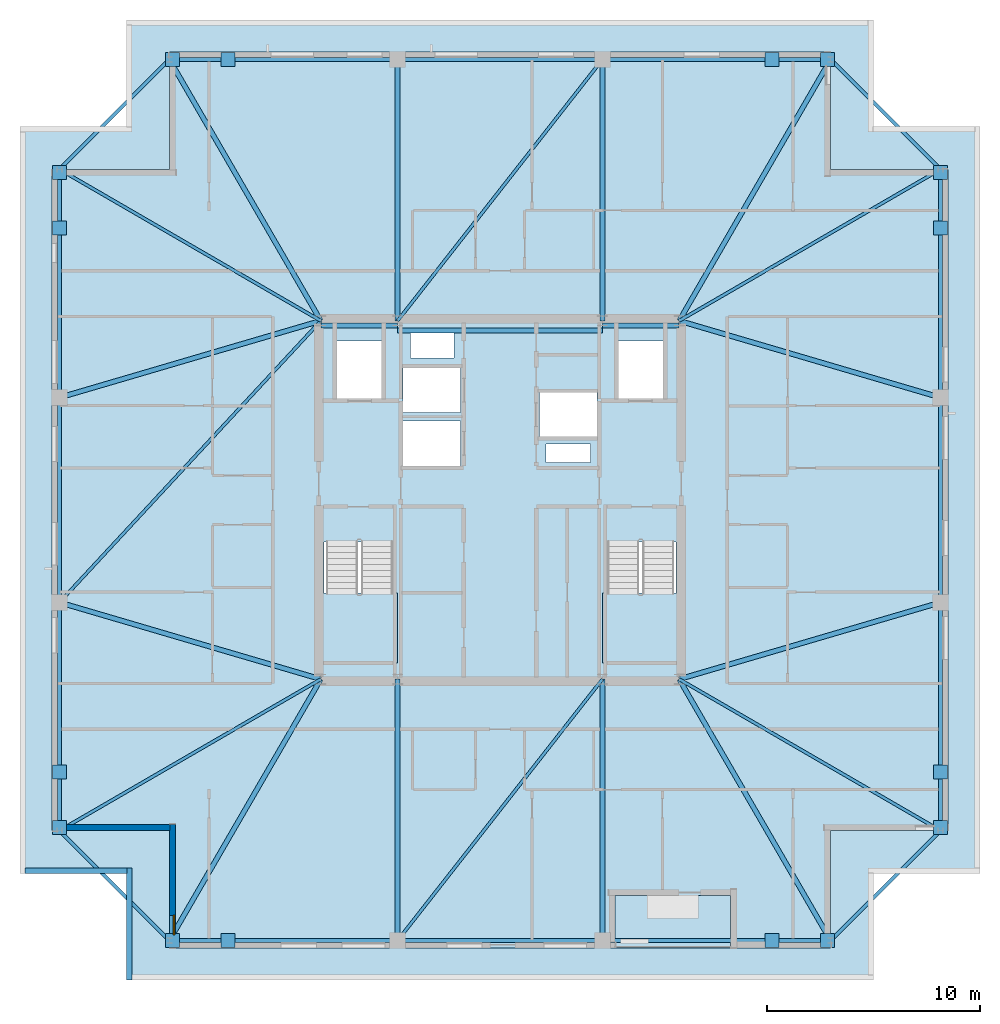
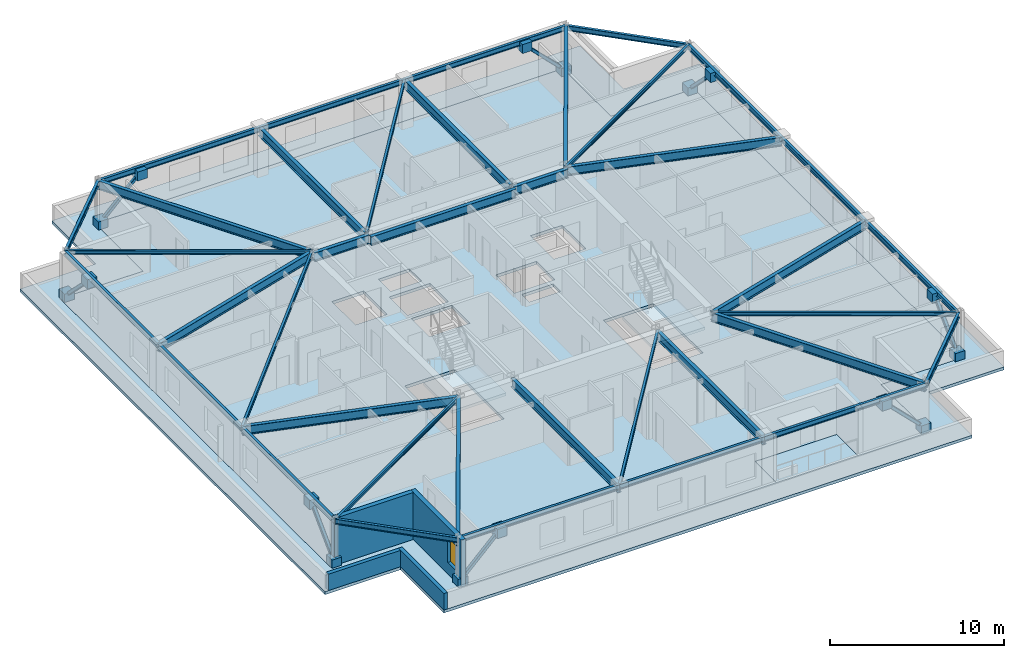
# One storey, part 6 of 15: 38 beams, 16 plates, 8 members, 5 slabs, 4 walls, 1 window, 1 opening, 2 elements without a shape of their own.
"""IFC4 building model written with IfcOpenShell, lengths in metres."""

from ifc_helpers import new_model, si_unit, direction, frame, frame_2d, origin, origin_2d, place, context, subcontext, project, spatial, polyline, rectangle, hollow_rectangle, i_section, outline, extrude, material, layer, layer_set, material_profile, profile_set, type_object, element, fill, aggregate, save


model = new_model("IFC4")

# Units and contexts
model_context = context("Model", 3, precision=1e-05, world=origin(), true_north=direction((0.0, 1.0)))
body_context = subcontext(model_context, "Body", "Model", "MODEL_VIEW")
ifc_project = project(units=[si_unit("LENGTHUNIT", "METRE"), si_unit("AREAUNIT", "SQUARE_METRE"), si_unit("VOLUMEUNIT", "CUBIC_METRE"), si_unit("PLANEANGLEUNIT", "RADIAN"), si_unit("MASSUNIT", "GRAM", prefix="KILO")], contexts=[model_context])

# Site, building, storey
site_placement = place(None, origin())
site = spatial("IfcSite", under=ifc_project, at=site_placement, CompositionType="ELEMENT")
building_placement = place(site_placement, origin())
building = spatial("IfcBuilding", under=site, at=building_placement, Name="Cairnveth Concourse Tower", CompositionType="ELEMENT")
storey_placement = place(building_placement, frame((0.0, 0.0, 280.5)))
storey = spatial("IfcBuildingStorey", under=building, at=storey_placement, Name="L77", CompositionType="ELEMENT", Elevation=280.5)

# Beams
ifc_material_1 = material(Name="Steel Grade 350", Category="steel")
ifc_material_profile_1 = material_profile(ifc_material_1, i_section(OverallWidth=0.22802734375, OverallDepth=0.60693359375, WebThickness=0.01123046875, FlangeThickness=0.017333984375, FilletRadius=0.013916015625, at=origin_2d()), Name="610UB113")
ifc_profile_set_1 = profile_set([ifc_material_profile_1], Name="Steel Grade 350")
beam_type_1 = type_object("IfcBeamType", Name="CORE TIE BEAM 610UB113", PredefinedType="T_BEAM", material=ifc_profile_set_1)
for number, where, z_axis, x_axis, name in (
    (1, (43.60009765625, 47.179931640625, 2.986572265625), (1.0, 0.0, 0.0), (0.0, 1.0, 0.0), "Beam CT-N1 L77"),
    (2, (56.800048828125, 47.179931640625, 2.986572265625), (1.0, 0.0, 0.0), (0.0, 1.0, 0.0), "Beam CT-N3 L77"),
):
    element("IfcBeam", number, at=place(storey_placement, frame(where, z_axis=z_axis, x_axis=x_axis)), inside=storey, type_object=beam_type_1, Name=name, PredefinedType="T_BEAM", context=body_context, shape_type="SweptSolid", body=[
        extrude(i_section(OverallWidth=0.22802734375, OverallDepth=0.60693359375, WebThickness=0.01123046875, FlangeThickness=0.017333984375, FilletRadius=0.013916015625, at=origin_2d()), origin(), (0.0, 0.0, 1.0), 3.599853515625),
    ])
beam_1_placement = place(storey_placement, frame((47.199951171875, 46.949951171875, 2.986572265625), z_axis=(1.0, 0.0, 0.0), x_axis=(0.0, 1.0, 0.0)))
element("IfcBeam", 3, at=beam_1_placement, inside=storey, type_object=beam_type_1, Name="Beam CT-N2 L77", PredefinedType="T_BEAM", context=body_context, shape_type="SweptSolid", body=[
    extrude(i_section(OverallWidth=0.22802734375, OverallDepth=0.60693359375, WebThickness=0.01123046875, FlangeThickness=0.017333984375, FilletRadius=0.013916015625, at=origin_2d()), origin(), (0.0, 0.0, 1.0), 9.60009765625),
])
ifc_material_profile_2 = material_profile(ifc_material_1, i_section(OverallWidth=0.14599609375, OverallDepth=0.256103515625, WebThickness=0.00634765625, FlangeThickness=0.010986328125, FilletRadius=0.009033203125, at=origin_2d()), Name="250UB37.3")
ifc_profile_set_2 = profile_set([ifc_material_profile_2], Name="Steel Grade 350")
beam_type_2 = type_object("IfcBeamType", Name="ZONE 4 FLOOR JOIST 250UB37.3", PredefinedType="JOIST", material=ifc_profile_set_2)
for number, where, z_axis, x_axis, name in (
    (4, (31.35009765625, 23.5, 3.162109375), (0.86518141842, 0.501458984584, 0.0), (-0.501458984584, 0.86518141842, 0.0), "Beam FJ-CSW2 L77"),
    (5, (72.64990234375, 23.5, 3.162109375), (-0.86518141842, 0.501458984584, 0.0), (-0.501458984584, -0.86518141842, 0.0), "Beam FJ-CSE2 L77"),
    (6, (72.64990234375, 54.5, 3.162109375), (-0.86518141842, -0.501458984584, 0.0), (0.501458984584, -0.86518141842, 0.0), "Beam FJ-CNE2 L77"),
    (7, (31.35009765625, 54.5, 3.162109375), (0.86518141842, -0.501458984584, 0.0), (0.501458984584, 0.86518141842, 0.0), "Beam FJ-CNW2 L77"),
):
    element("IfcBeam", number, at=place(storey_placement, frame(where, z_axis=z_axis, x_axis=x_axis)), inside=storey, type_object=beam_type_2, Name=name, PredefinedType="JOIST", context=body_context, shape_type="SweptSolid", body=[
        extrude(i_section(OverallWidth=0.14599609375, OverallDepth=0.256103515625, WebThickness=0.00634765625, FlangeThickness=0.010986328125, FilletRadius=0.009033203125, at=origin_2d()), origin(), (0.0, 0.0, 1.0), 14.158935546875),
    ])
for number, where, z_axis, x_axis, name in (
    (8, (47.199951171875, 18.35009765625, 3.162109375), (0.616831762718, 0.787095023807, 0.0), (-0.787095023807, 0.616831762718, 0.0), "Beam FJ-S-M1 L77"),
    (9, (47.199951171875, 47.39990234375, 3.162109375), (0.616831762718, 0.787095023807, 0.0), (-0.787095023807, 0.616831762718, 0.0), "Beam FJ-N-M1 L77"),
):
    element("IfcBeam", number, at=place(storey_placement, frame(where, z_axis=z_axis, x_axis=x_axis)), inside=storey, type_object=beam_type_2, Name=name, PredefinedType="JOIST", context=body_context, shape_type="SweptSolid", body=[
        extrude(i_section(OverallWidth=0.14599609375, OverallDepth=0.256103515625, WebThickness=0.00634765625, FlangeThickness=0.010986328125, FilletRadius=0.009033203125, at=origin_2d()), origin(), (0.0, 0.0, 1.0), 15.5634765625),
    ])
beam_2_placement = place(storey_placement, frame((31.35009765625, 34.199951171875, 3.162109375), z_axis=(0.680239432161, 0.732989982833, 0.0), x_axis=(-0.732989982833, 0.680239432161, 0.0)))
element("IfcBeam", 10, at=beam_2_placement, inside=storey, type_object=beam_type_2, Name="Beam FJ-W-M1 L77", PredefinedType="JOIST", context=body_context, shape_type="SweptSolid", body=[
    extrude(i_section(OverallWidth=0.14599609375, OverallDepth=0.256103515625, WebThickness=0.00634765625, FlangeThickness=0.010986328125, FilletRadius=0.009033203125, at=origin_2d()), origin(), (0.0, 0.0, 1.0), 18.00830078125),
])

# Members
ifc_material_2 = material(Name="Steel C350L0 (350 MPa)", Category="steel")
ifc_material_profile_3 = material_profile(ifc_material_2, hollow_rectangle(XDim=0.199951171875, YDim=0.199951171875, WallThickness=0.012451171875, InnerFilletRadius=0.012939453125, OuterFilletRadius=0.02490234375, at=origin_2d()), Name="200x200x12.5SHS")
ifc_profile_set_3 = profile_set([ifc_material_profile_3], Name="Steel C350L0 (350 MPa)")
member_type = type_object("IfcMemberType", Name="ZONE 4 PIER BRACE 200X200X12.5SHS", PredefinedType="BRACE", material=ifc_profile_set_3)
for number, where, z_axis, x_axis, name in (
    (11, (36.64990234375, 18.35009765625, 0.25), (0.708469186186, 0.0, 0.705741746126), (0.0, 1.0, 0.0), "Structural Brace PB-S1 L77"),
    (12, (67.35009765625, 18.35009765625, 0.25), (-0.708469186186, 0.0, 0.705741746126), (0.0, -1.0, 0.0), "Structural Brace PB-S2 L77"),
    (13, (36.64990234375, 59.64990234375, 0.25), (0.708469186186, 0.0, 0.705741746126), (0.0, 1.0, 0.0), "Structural Brace PB-N1 L77"),
    (14, (67.35009765625, 59.64990234375, 0.25), (-0.708469186186, 0.0, 0.705741746126), (0.0, -1.0, 0.0), "Structural Brace PB-N2 L77"),
    (15, (31.35009765625, 23.64990234375, 0.25), (0.0, 0.708469186186, 0.705741746126), (-1.0, 0.0, 0.0), "Structural Brace PB-W1 L77"),
    (16, (31.35009765625, 54.35009765625, 0.25), (0.0, -0.708469186186, 0.705741746126), (1.0, 0.0, 0.0), "Structural Brace PB-W2 L77"),
    (17, (72.64990234375, 23.64990234375, 0.25), (0.0, 0.708469186186, 0.705741746126), (-1.0, 0.0, 0.0), "Structural Brace PB-E1 L77"),
    (18, (72.64990234375, 54.35009765625, 0.25), (0.0, -0.708469186186, 0.705741746126), (1.0, 0.0, 0.0), "Structural Brace PB-E2 L77"),
):
    element("IfcMember", number, at=place(storey_placement, frame(where, z_axis=z_axis, x_axis=x_axis)), inside=storey, type_object=member_type, Name=name, PredefinedType="BRACE", context=body_context, shape_type="SweptSolid", body=[
        extrude(hollow_rectangle(XDim=0.199951171875, YDim=0.199951171875, WallThickness=0.012451171875, InnerFilletRadius=0.012939453125, OuterFilletRadius=0.02490234375, at=origin_2d()), origin(), (0.0, 0.0, 1.0), 3.669921875),
    ])

# Beams
ifc_material_profile_4 = material_profile(ifc_material_1, i_section(OverallWidth=0.22900390625, OverallDepth=0.612060546875, WebThickness=0.011962890625, FlangeThickness=0.01953125, FilletRadius=0.013916015625, at=origin_2d()), Name="610UB125")
ifc_profile_set_4 = profile_set([ifc_material_profile_4], Name="Steel Grade 350")
beam_type_3 = type_object("IfcBeamType", Name="ZONE 4 RADIAL GIRDER 610UB125", PredefinedType="BEAM", material=ifc_profile_set_4)
for number, where, z_axis, x_axis, name in (
    (19, (47.199951171875, 18.35009765625, 2.98388671875), (0.0, 1.0, 0.0), (-1.0, 0.0, 0.0), "Beam RG-S1 L77"),
    (20, (56.800048828125, 18.35009765625, 2.98388671875), (0.0, 1.0, 0.0), (-1.0, 0.0, 0.0), "Beam RG-S2 L77"),
    (21, (47.199951171875, 47.39990234375, 2.98388671875), (0.0, 1.0, 0.0), (-1.0, 0.0, 0.0), "Beam RG-N1 L77"),
    (22, (56.800048828125, 47.39990234375, 2.98388671875), (0.0, 1.0, 0.0), (-1.0, 0.0, 0.0), "Beam RG-N2 L77"),
):
    element("IfcBeam", number, at=place(storey_placement, frame(where, z_axis=z_axis, x_axis=x_axis)), inside=storey, type_object=beam_type_3, Name=name, PredefinedType="BEAM", context=body_context, shape_type="SweptSolid", body=[
        extrude(i_section(OverallWidth=0.22900390625, OverallDepth=0.612060546875, WebThickness=0.011962890625, FlangeThickness=0.01953125, FilletRadius=0.013916015625, at=origin_2d()), origin(), (0.0, 0.0, 1.0), 12.25),
    ])
for number, where, z_axis, x_axis, name in (
    (23, (31.35009765625, 34.199951171875, 2.98388671875), (0.959430938842, -0.281943741893, 0.0), (0.281943741893, 0.959430938842, 0.0), "Beam RG-W1 L77"),
    (24, (31.35009765625, 43.800048828125, 2.98388671875), (0.959430938842, 0.281943741893, 0.0), (-0.281943741893, 0.959430938842, 0.0), "Beam RG-W2 L77"),
    (25, (60.39990234375, 30.60009765625, 2.98388671875), (0.959430938842, 0.281943741893, 0.0), (-0.281943741893, 0.959430938842, 0.0), "Beam RG-E1 L77"),
    (26, (60.39990234375, 47.39990234375, 2.98388671875), (0.959430938842, -0.281943741893, 0.0), (0.281943741893, 0.959430938842, 0.0), "Beam RG-E2 L77"),
):
    element("IfcBeam", number, at=place(storey_placement, frame(where, z_axis=z_axis, x_axis=x_axis)), inside=storey, type_object=beam_type_3, Name=name, PredefinedType="BEAM", context=body_context, shape_type="SweptSolid", body=[
        extrude(i_section(OverallWidth=0.22900390625, OverallDepth=0.612060546875, WebThickness=0.011962890625, FlangeThickness=0.01953125, FilletRadius=0.013916015625, at=origin_2d()), origin(), (0.0, 0.0, 1.0), 12.76806640625),
    ])
for number, where, z_axis, x_axis, name in (
    (27, (36.5, 18.35009765625, 2.98388671875), (0.501458984584, 0.86518141842, 0.0), (-0.86518141842, 0.501458984584, 0.0), "Beam RG-CSW L77"),
    (28, (67.5, 18.35009765625, 2.98388671875), (-0.501458984584, 0.86518141842, 0.0), (-0.86518141842, -0.501458984584, 0.0), "Beam RG-CSE L77"),
    (29, (67.5, 59.64990234375, 2.98388671875), (-0.501458984584, -0.86518141842, 0.0), (0.86518141842, -0.501458984584, 0.0), "Beam RG-CNE L77"),
    (30, (36.5, 59.64990234375, 2.98388671875), (0.501458984584, -0.86518141842, 0.0), (0.86518141842, 0.501458984584, 0.0), "Beam RG-CNW L77"),
):
    element("IfcBeam", number, at=place(storey_placement, frame(where, z_axis=z_axis, x_axis=x_axis)), inside=storey, type_object=beam_type_3, Name=name, PredefinedType="BEAM", context=body_context, shape_type="SweptSolid", body=[
        extrude(i_section(OverallWidth=0.22900390625, OverallDepth=0.612060546875, WebThickness=0.011962890625, FlangeThickness=0.01953125, FilletRadius=0.013916015625, at=origin_2d()), origin(), (0.0, 0.0, 1.0), 14.158935546875),
    ])
ifc_material_profile_5 = material_profile(ifc_material_1, i_section(OverallWidth=0.172119140625, OverallDepth=0.35888671875, WebThickness=0.008056640625, FlangeThickness=0.012939453125, FilletRadius=0.010986328125, at=origin_2d()), Name="360UB56.7")
ifc_profile_set_5 = profile_set([ifc_material_profile_5], Name="Steel Grade 350")
beam_type_4 = type_object("IfcBeamType", Name="ZONE 4 SPANDREL BEAM 360UB56.7", PredefinedType="SPANDREL", material=ifc_profile_set_5)
beam_3_placement = place(storey_placement, frame((36.5, 18.35009765625, 3.110595703125), z_axis=(1.0, 0.0, 0.0), x_axis=(0.0, 1.0, 0.0)))
element("IfcBeam", 31, at=beam_3_placement, inside=storey, type_object=beam_type_4, Name="Beam SP-S1 L77", PredefinedType="SPANDREL", context=body_context, shape_type="SweptSolid", body=[
    extrude(i_section(OverallWidth=0.172119140625, OverallDepth=0.35888671875, WebThickness=0.008056640625, FlangeThickness=0.012939453125, FilletRadius=0.010986328125, at=origin_2d()), origin(), (0.0, 0.0, 1.0), 10.699951171875),
])
beam_4_placement = place(storey_placement, frame((47.199951171875, 18.35009765625, 3.110595703125), z_axis=(1.0, 0.0, 0.0), x_axis=(0.0, 1.0, 0.0)))
element("IfcBeam", 32, at=beam_4_placement, inside=storey, type_object=beam_type_4, Name="Beam SP-S2 L77", PredefinedType="SPANDREL", context=body_context, shape_type="SweptSolid", body=[
    extrude(i_section(OverallWidth=0.172119140625, OverallDepth=0.35888671875, WebThickness=0.008056640625, FlangeThickness=0.012939453125, FilletRadius=0.010986328125, at=origin_2d()), origin(), (0.0, 0.0, 1.0), 9.60009765625),
])
for number, where, z_axis, x_axis, name in (
    (33, (56.800048828125, 18.35009765625, 3.110595703125), (1.0, 0.0, 0.0), (0.0, 1.0, 0.0), "Beam SP-S3 L77"),
    (34, (36.5, 59.64990234375, 3.110595703125), (1.0, 0.0, 0.0), (0.0, 1.0, 0.0), "Beam SP-N1 L77"),
):
    element("IfcBeam", number, at=place(storey_placement, frame(where, z_axis=z_axis, x_axis=x_axis)), inside=storey, type_object=beam_type_4, Name=name, PredefinedType="SPANDREL", context=body_context, shape_type="SweptSolid", body=[
        extrude(i_section(OverallWidth=0.172119140625, OverallDepth=0.35888671875, WebThickness=0.008056640625, FlangeThickness=0.012939453125, FilletRadius=0.010986328125, at=origin_2d()), origin(), (0.0, 0.0, 1.0), 10.699951171875),
    ])
beam_5_placement = place(storey_placement, frame((47.199951171875, 59.64990234375, 3.110595703125), z_axis=(1.0, 0.0, 0.0), x_axis=(0.0, 1.0, 0.0)))
element("IfcBeam", 35, at=beam_5_placement, inside=storey, type_object=beam_type_4, Name="Beam SP-N2 L77", PredefinedType="SPANDREL", context=body_context, shape_type="SweptSolid", body=[
    extrude(i_section(OverallWidth=0.172119140625, OverallDepth=0.35888671875, WebThickness=0.008056640625, FlangeThickness=0.012939453125, FilletRadius=0.010986328125, at=origin_2d()), origin(), (0.0, 0.0, 1.0), 9.60009765625),
])
for number, where, z_axis, x_axis, name in (
    (36, (56.800048828125, 59.64990234375, 3.110595703125), (1.0, 0.0, 0.0), (0.0, 1.0, 0.0), "Beam SP-N3 L77"),
    (37, (31.35009765625, 23.5, 3.110595703125), (0.0, 1.0, 0.0), (-1.0, 0.0, 0.0), "Beam SP-W1 L77"),
):
    element("IfcBeam", number, at=place(storey_placement, frame(where, z_axis=z_axis, x_axis=x_axis)), inside=storey, type_object=beam_type_4, Name=name, PredefinedType="SPANDREL", context=body_context, shape_type="SweptSolid", body=[
        extrude(i_section(OverallWidth=0.172119140625, OverallDepth=0.35888671875, WebThickness=0.008056640625, FlangeThickness=0.012939453125, FilletRadius=0.010986328125, at=origin_2d()), origin(), (0.0, 0.0, 1.0), 10.699951171875),
    ])
beam_6_placement = place(storey_placement, frame((31.35009765625, 34.199951171875, 3.110595703125), z_axis=(0.0, 1.0, 0.0), x_axis=(-1.0, 0.0, 0.0)))
element("IfcBeam", 38, at=beam_6_placement, inside=storey, type_object=beam_type_4, Name="Beam SP-W2 L77", PredefinedType="SPANDREL", context=body_context, shape_type="SweptSolid", body=[
    extrude(i_section(OverallWidth=0.172119140625, OverallDepth=0.35888671875, WebThickness=0.008056640625, FlangeThickness=0.012939453125, FilletRadius=0.010986328125, at=origin_2d()), origin(), (0.0, 0.0, 1.0), 9.60009765625),
])
for number, where, z_axis, x_axis, name in (
    (39, (31.35009765625, 43.800048828125, 3.110595703125), (0.0, 1.0, 0.0), (-1.0, 0.0, 0.0), "Beam SP-W3 L77"),
    (40, (72.64990234375, 23.5, 3.110595703125), (0.0, 1.0, 0.0), (-1.0, 0.0, 0.0), "Beam SP-E1 L77"),
):
    element("IfcBeam", number, at=place(storey_placement, frame(where, z_axis=z_axis, x_axis=x_axis)), inside=storey, type_object=beam_type_4, Name=name, PredefinedType="SPANDREL", context=body_context, shape_type="SweptSolid", body=[
        extrude(i_section(OverallWidth=0.172119140625, OverallDepth=0.35888671875, WebThickness=0.008056640625, FlangeThickness=0.012939453125, FilletRadius=0.010986328125, at=origin_2d()), origin(), (0.0, 0.0, 1.0), 10.699951171875),
    ])
beam_7_placement = place(storey_placement, frame((72.64990234375, 34.199951171875, 3.110595703125), z_axis=(0.0, 1.0, 0.0), x_axis=(-1.0, 0.0, 0.0)))
element("IfcBeam", 41, at=beam_7_placement, inside=storey, type_object=beam_type_4, Name="Beam SP-E2 L77", PredefinedType="SPANDREL", context=body_context, shape_type="SweptSolid", body=[
    extrude(i_section(OverallWidth=0.172119140625, OverallDepth=0.35888671875, WebThickness=0.008056640625, FlangeThickness=0.012939453125, FilletRadius=0.010986328125, at=origin_2d()), origin(), (0.0, 0.0, 1.0), 9.60009765625),
])
beam_8_placement = place(storey_placement, frame((72.64990234375, 43.800048828125, 3.110595703125), z_axis=(0.0, 1.0, 0.0), x_axis=(-1.0, 0.0, 0.0)))
element("IfcBeam", 42, at=beam_8_placement, inside=storey, type_object=beam_type_4, Name="Beam SP-E3 L77", PredefinedType="SPANDREL", context=body_context, shape_type="SweptSolid", body=[
    extrude(i_section(OverallWidth=0.172119140625, OverallDepth=0.35888671875, WebThickness=0.008056640625, FlangeThickness=0.012939453125, FilletRadius=0.010986328125, at=origin_2d()), origin(), (0.0, 0.0, 1.0), 10.699951171875),
])
for number, where, z_axis, x_axis, name in (
    (43, (31.35009765625, 23.5, 3.110595703125), (0.707106781187, -0.707106781187, 0.0), (0.707106781187, 0.707106781187, 0.0), "Beam SP-SW L77"),
    (44, (67.5, 18.35009765625, 3.110595703125), (0.707106781187, 0.707106781187, 0.0), (-0.707106781187, 0.707106781187, 0.0), "Beam SP-SE L77"),
    (45, (67.5, 59.64990234375, 3.110595703125), (0.707106781187, -0.707106781187, 0.0), (0.707106781187, 0.707106781187, 0.0), "Beam SP-NE L77"),
    (46, (31.35009765625, 54.5, 3.110595703125), (0.707106781187, 0.707106781187, 0.0), (-0.707106781187, 0.707106781187, 0.0), "Beam SP-NW L77"),
):
    element("IfcBeam", number, at=place(storey_placement, frame(where, z_axis=z_axis, x_axis=x_axis)), inside=storey, type_object=beam_type_4, Name=name, PredefinedType="SPANDREL", context=body_context, shape_type="SweptSolid", body=[
        extrude(i_section(OverallWidth=0.172119140625, OverallDepth=0.35888671875, WebThickness=0.008056640625, FlangeThickness=0.012939453125, FilletRadius=0.010986328125, at=origin_2d()), origin(), (0.0, 0.0, 1.0), 7.282958984375),
    ])

# Plates
ifc_layer_1 = layer(ifc_material_1, 0.031982421875)
ifc_layer_set_1 = layer_set([ifc_layer_1], Name="Steel Grade 350")
plate_type = type_object("IfcPlateType", Name="PERIMETER BRACE GUSSET PLATE 32", PredefinedType="USERDEFINED", material=ifc_layer_set_1)
for number, where, z_axis, x_axis, name in (
    (47, (36.64990234375, 18.35009765625, -0.06982421875), (0.0, 0.0, 1.0), (1.0, 0.0, 0.0), "Structural Node Plate 1369 L77"),
    (48, (39.25, 18.35009765625, 2.52001953125), (0.0, 0.0, 1.0), (1.0, 0.0, 0.0), "Structural Node Plate 1370 L77"),
    (49, (67.35009765625, 18.35009765625, -0.06982421875), (0.0, 0.0, 1.0), (1.0, 0.0, 0.0), "Structural Node Plate 1371 L77"),
    (50, (64.75, 18.35009765625, 2.52001953125), (0.0, 0.0, 1.0), (1.0, 0.0, 0.0), "Structural Node Plate 1372 L77"),
    (51, (36.64990234375, 59.64990234375, -0.06982421875), (0.0, 0.0, 1.0), (1.0, 0.0, 0.0), "Structural Node Plate 1373 L77"),
    (52, (39.25, 59.64990234375, 2.52001953125), (0.0, 0.0, 1.0), (1.0, 0.0, 0.0), "Structural Node Plate 1374 L77"),
    (53, (67.35009765625, 59.64990234375, -0.06982421875), (0.0, 0.0, 1.0), (1.0, 0.0, 0.0), "Structural Node Plate 1375 L77"),
    (54, (64.75, 59.64990234375, 2.52001953125), (0.0, 0.0, 1.0), (1.0, 0.0, 0.0), "Structural Node Plate 1376 L77"),
    (55, (31.35009765625, 23.64990234375, -0.06982421875), (0.0, 0.0, 1.0), (1.0, 0.0, 0.0), "Structural Node Plate 1377 L77"),
    (56, (31.35009765625, 26.25, 2.52001953125), (0.0, 0.0, 1.0), (1.0, 0.0, 0.0), "Structural Node Plate 1378 L77"),
    (57, (31.35009765625, 54.35009765625, -0.06982421875), (0.0, 0.0, 1.0), (1.0, 0.0, 0.0), "Structural Node Plate 1379 L77"),
    (58, (31.35009765625, 51.75, 2.52001953125), (0.0, 0.0, 1.0), (1.0, 0.0, 0.0), "Structural Node Plate 1380 L77"),
    (59, (72.64990234375, 23.64990234375, -0.06982421875), (0.0, 0.0, 1.0), (1.0, 0.0, 0.0), "Structural Node Plate 1381 L77"),
    (60, (72.64990234375, 26.25, 2.52001953125), (0.0, 0.0, 1.0), (1.0, 0.0, 0.0), "Structural Node Plate 1382 L77"),
    (61, (72.64990234375, 54.35009765625, -0.06982421875), (0.0, 0.0, 1.0), (1.0, 0.0, 0.0), "Structural Node Plate 1383 L77"),
    (62, (72.64990234375, 51.75, 2.52001953125), (0.0, 0.0, 1.0), (1.0, 0.0, 0.0), "Structural Node Plate 1384 L77"),
):
    element("IfcPlate", number, at=place(storey_placement, frame(where, z_axis=z_axis, x_axis=x_axis)), inside=storey, type_object=plate_type, Name=name, ObjectType="GUSSET PLATE", PredefinedType="USERDEFINED", context=body_context, shape_type="SweptSolid", body=[
        extrude(rectangle(XDim=0.639892578125, YDim=0.639892578125, at=origin_2d()), origin(), (0.0, 0.0, 1.0), 0.639892578125),
    ])

# Slabs
ifc_material_3 = material(Name="Concrete N50 (50 MPa)", Category="concrete")
ifc_layer_2 = layer(ifc_material_3, 0.205078125)
ifc_layer_set_2 = layer_set([ifc_layer_2], Name="Concrete N50 (50 MPa)")
slab_type_1 = type_object("IfcSlabType", Name="SETBACK MAINTENANCE ROOF SLAB 205", PredefinedType="ROOF", material=ifc_layer_set_2)
slab_1_placement = place(storey_placement, frame((0.0, 0.0, -0.205078125)))
element("IfcSlab", 63, at=slab_1_placement, inside=storey, type_object=slab_type_1, Name="Setback Maintenance Roof Slab L77", PredefinedType="ROOF", context=body_context, shape_type="SweptSolid", body=[
    extrude(outline(polyline([(34.5, 16.5), (69.5, 16.5), (69.5, 21.5), (74.5, 21.5), (74.5, 56.5), (69.5, 56.5), (69.5, 61.5), (34.5, 61.5), (34.5, 56.5), (29.5, 56.5), (29.5, 21.5), (34.5, 21.5), (34.5, 16.5)]), holes=[polyline([(36.5, 18.0), (67.5, 18.0), (67.5, 23.5), (73.0, 23.5), (73.0, 54.5), (67.5, 54.5), (67.5, 60.0), (36.5, 60.0), (36.5, 54.5), (31.0, 54.5), (31.0, 23.5), (36.5, 23.5), (36.5, 18.0)])]), origin(), (0.0, 0.0, 1.0), 0.205078125),
])
ifc_layer_3 = layer(ifc_material_3, 0.18994140625)
ifc_layer_set_3 = layer_set([ifc_layer_3], Name="Concrete N50 (50 MPa)")
slab_type_2 = type_object("IfcSlabType", Name="SPIRAL OUTDOOR TERRACE SLAB 190", PredefinedType="FLOOR", material=ifc_layer_set_3)
slab_2_placement = place(storey_placement, frame((0.0, 0.0, -0.18994140625)))
element("IfcSlab", 64, at=slab_2_placement, inside=storey, type_object=slab_type_2, Name="Spiral Terrace Slab L77", PredefinedType="FLOOR", context=body_context, shape_type="SweptSolid", body=[
    extrude(outline(polyline([(57.39990234375, 18.0), (62.800048828125, 18.0), (62.800048828125, 20.449951171875), (57.39990234375, 20.449951171875), (57.39990234375, 18.0)])), origin(), (0.0, 0.0, 1.0), 0.18994140625),
])

# Stair, slab
ifc_material_4 = material(Name="Precast concrete N50 (50 MPa)", Category="concrete")
stair_type = type_object("IfcStairType", Name="CORE DOG-LEG FIRE STAIR 1500", PredefinedType="HALF_TURN_STAIR", material=ifc_material_4)
stair_1_placement = place(storey_placement, origin())
stair_1 = element("IfcStair", 65, at=stair_1_placement, inside=storey, type_object=stair_type, Name="L77 Fire-Isolated Stair ST-1", PredefinedType="HALF_TURN_STAIR")
ifc_layer_4 = layer(ifc_material_3, 0.199951171875)
ifc_layer_set_4 = layer_set([ifc_layer_4], Name="Concrete N50 (50 MPa)")
slab_type_3 = type_object("IfcSlabType", Name="STAIR HALF LANDING SLAB 200", PredefinedType="LANDING", material=ifc_layer_set_4)
slab_3_placement = place(storey_placement, frame((0.0, 0.0, 1.550048828125)))
slab_3 = element("IfcSlab", 66, at=slab_3_placement, type_object=slab_type_3, Name="ST-1 landing 1", PredefinedType="LANDING", context=body_context, shape_type="SweptSolid", body=[
    extrude(outline(polyline([(43.6201171875, 34.639892578125), (43.6201171875, 31.3701171875), (47.199951171875, 31.3701171875), (47.199951171875, 34.639892578125), (43.6201171875, 34.639892578125)])), origin(), (0.0, 0.0, 1.0), 0.199951171875),
])
aggregate(stair_1, [slab_3])

stair_2_placement = place(storey_placement, origin())
stair_2 = element("IfcStair", 67, at=stair_2_placement, inside=storey, type_object=stair_type, Name="L77 Fire-Isolated Stair ST-2", PredefinedType="HALF_TURN_STAIR")
slab_4_placement = place(storey_placement, frame((0.0, 0.0, 1.550048828125)))
slab_4 = element("IfcSlab", 68, at=slab_4_placement, type_object=slab_type_3, Name="ST-2 landing 1", PredefinedType="LANDING", context=body_context, shape_type="SweptSolid", body=[
    extrude(outline(polyline([(56.800048828125, 34.639892578125), (56.800048828125, 31.3701171875), (60.3798828125, 31.3701171875), (60.3798828125, 34.639892578125), (56.800048828125, 34.639892578125)])), origin(), (0.0, 0.0, 1.0), 0.199951171875),
])
aggregate(stair_2, [slab_4])

# Slab
ifc_layer_5 = layer(ifc_material_3, 0.2099609375)
ifc_layer_set_5 = layer_set([ifc_layer_5], Name="Concrete N50 (50 MPa)")
slab_type_4 = type_object("IfcSlabType", Name="UPPER TOWER COMPOSITE SLAB 210", PredefinedType="FLOOR", material=ifc_layer_set_5)
slab_5_placement = place(storey_placement, frame((0.0, 0.0, -0.2099609375)))
element("IfcSlab", 69, at=slab_5_placement, inside=storey, type_object=slab_type_4, Name="Tower Floor Slab L77", PredefinedType="FLOOR", context=body_context, shape_type="SweptSolid", body=[
    extrude(outline(polyline([(57.39990234375, 18.0), (57.39990234375, 20.449951171875), (62.800048828125, 20.449951171875), (62.800048828125, 18.0), (67.5, 18.0), (67.5, 23.5), (73.0, 23.5), (73.0, 54.5), (67.5, 54.5), (67.5, 60.0), (36.5, 60.0), (36.5, 54.5), (31.0, 54.5), (31.0, 23.5), (36.5, 23.5), (36.5, 18.0), (57.39990234375, 18.0)]), holes=[polyline([(43.760009765625, 31.360107421875), (47.06005859375, 31.360107421875), (47.06005859375, 37.0400390625), (43.760009765625, 37.0400390625), (43.760009765625, 31.360107421875)]), polyline([(56.93994140625, 31.360107421875), (60.239990234375, 31.360107421875), (60.239990234375, 37.0400390625), (56.93994140625, 37.0400390625), (56.93994140625, 31.360107421875)]), polyline([(44.3701171875, 43.75), (46.469970703125, 43.75), (46.469970703125, 46.449951171875), (44.3701171875, 46.449951171875), (44.3701171875, 43.75)]), polyline([(57.530029296875, 43.75), (59.6298828125, 43.75), (59.6298828125, 46.449951171875), (57.530029296875, 46.449951171875), (57.530029296875, 43.75)]), polyline([(47.449951171875, 40.60009765625), (50.14990234375, 40.60009765625), (50.14990234375, 42.699951171875), (47.449951171875, 42.699951171875), (47.449951171875, 40.60009765625)]), polyline([(47.449951171875, 43.10009765625), (50.14990234375, 43.10009765625), (50.14990234375, 45.199951171875), (47.449951171875, 45.199951171875), (47.449951171875, 43.10009765625)]), polyline([(53.85009765625, 41.949951171875), (56.550048828125, 41.949951171875), (56.550048828125, 44.050048828125), (53.85009765625, 44.050048828125), (53.85009765625, 41.949951171875)]), polyline([(47.800048828125, 45.64990234375), (49.85009765625, 45.64990234375), (49.85009765625, 47.050048828125), (47.800048828125, 47.050048828125), (47.800048828125, 45.64990234375)]), polyline([(54.14990234375, 40.75), (56.25, 40.75), (56.25, 41.6201171875), (54.14990234375, 41.6201171875), (54.14990234375, 40.75)])]), origin(), (0.0, 0.0, 1.0), 0.2099609375),
])

# Walls
ifc_material_5 = material(Name="Hawthorn Red-Ochre Fired Clay Brick Masonry", Category="masonry")
ifc_layer_6 = layer(ifc_material_5, 0.25)
ifc_layer_set_6 = layer_set([ifc_layer_6], Name="Hawthorn Red-Ochre Fired Clay Brick Masonry")
wall_type_1 = type_object("IfcWallType", Name="ROOF MASONRY PARAPET WALL 250", PredefinedType="PARAPET", material=ifc_layer_set_6)
wall_1_placement = place(storey_placement, frame((34.625, 16.5, 0.0), z_axis=(0.0, 0.0, 1.0), x_axis=(0.0, 1.0, 0.0)))
element("IfcWall", 70, at=wall_1_placement, inside=storey, type_object=wall_type_1, Name="Exterior Wall EP-L77-SB00", PredefinedType="PARAPET", context=body_context, shape_type="SweptSolid", body=[
    extrude(rectangle(XDim=5.25, YDim=0.25, at=frame_2d((2.625, 0.0))), origin(), (0.0, 0.0, 1.0), 1.14990234375),
])
wall_2_placement = place(storey_placement, frame((34.52197265625, 21.625, 0.0), z_axis=(0.0, 0.0, 1.0), x_axis=(-1.0, 0.0, 0.0)))
element("IfcWall", 71, at=wall_2_placement, inside=storey, type_object=wall_type_1, Name="Exterior Wall EP-L77-SB01", PredefinedType="PARAPET", context=body_context, shape_type="SweptSolid", body=[
    extrude(rectangle(XDim=4.7939453125, YDim=0.25, at=frame_2d((2.39697265625, 0.0))), origin(), (0.0, 0.0, 1.0), 1.14990234375),
])

# Wall, opening, window
ifc_layer_7 = layer(ifc_material_5, 0.300048828125)
ifc_layer_set_7 = layer_set([ifc_layer_7], Name="Hawthorn Red-Ochre Fired Clay Brick Masonry")
wall_type_2 = type_object("IfcWallType", Name="ZONE 4 BRICK PIER SPANDREL WALL 300", PredefinedType="SOLIDWALL", material=ifc_layer_set_7)
wall_3_placement = place(storey_placement, frame((36.64990234375, 18.0, 0.0), z_axis=(0.0, 0.0, 1.0), x_axis=(0.0, 1.0, 0.0)))
wall_3 = element("IfcWall", 72, at=wall_3_placement, inside=storey, type_object=wall_type_2, Name="Exterior Wall EW-L77-S01", PredefinedType="SOLIDWALL", context=body_context, shape_type="SweptSolid", body=[
    extrude(rectangle(XDim=5.800048828125, YDim=0.300048828125, at=frame_2d((2.89990234375, 0.0))), origin(), (0.0, 0.0, 1.0), 3.2900390625),
])
opening_placement = place(wall_3_placement, frame((0.6298828125, 0.0, 0.800048828125)))
opening = element("IfcOpeningElement", 73, at=opening_placement, cuts=wall_3, Name="Opening W13", PredefinedType="OPENING", context=body_context, shape_type="SweptSolid", body=[
    extrude(rectangle(XDim=0.89990234375, YDim=1.75, at=frame_2d((0.449951171875, 0.875))), frame((0.0, 0.159912109375, 0.0), z_axis=(0.0, -1.0, 0.0), x_axis=(1.0, 0.0, 0.0)), (0.0, 0.0, 1.0), 0.320068359375),
])
ifc_material_6 = material(Name="Double Glazed Low-E Clear Glass", Category="glass")
window_type = type_object("IfcWindowType", Name="DEEP-SET BEDROOM LANCET WINDOW 900X1750", PartitioningType="DOUBLE_PANEL_VERTICAL", PredefinedType="WINDOW", material=ifc_material_6)
window_placement = place(opening_placement, origin())
window = element("IfcWindow", 74, at=window_placement, inside=storey, type_object=window_type, Name="Dwelling Lancet Window L77-DW1", OverallHeight=1.75, OverallWidth=0.89990234375, PartitioningType="SINGLE_PANEL", PredefinedType="WINDOW", context=body_context, shape_type="SweptSolid", body=[
    extrude(rectangle(XDim=0.89990234375, YDim=1.75, at=frame_2d((0.449951171875, 0.875))), frame((0.0, -0.0400390625, 0.0), z_axis=(0.0, -1.0, 0.0), x_axis=(1.0, 0.0, 0.0)), (0.0, 0.0, 1.0), 0.06005859375),
])
fill(opening, window)

# Wall
wall_4_placement = place(storey_placement, frame((36.52197265625, 23.64990234375, 0.0), z_axis=(0.0, 0.0, 1.0), x_axis=(-1.0, 0.0, 0.0)))
element("IfcWall", 75, at=wall_4_placement, inside=storey, type_object=wall_type_2, Name="Exterior Wall EW-L77-S02", PredefinedType="SOLIDWALL", context=body_context, shape_type="SweptSolid", body=[
    extrude(rectangle(XDim=5.243896484375, YDim=0.300048828125, at=frame_2d((2.6220703125, 0.0))), origin(), (0.0, 0.0, 1.0), 3.2900390625),
])

save(model, "model.ifc")
